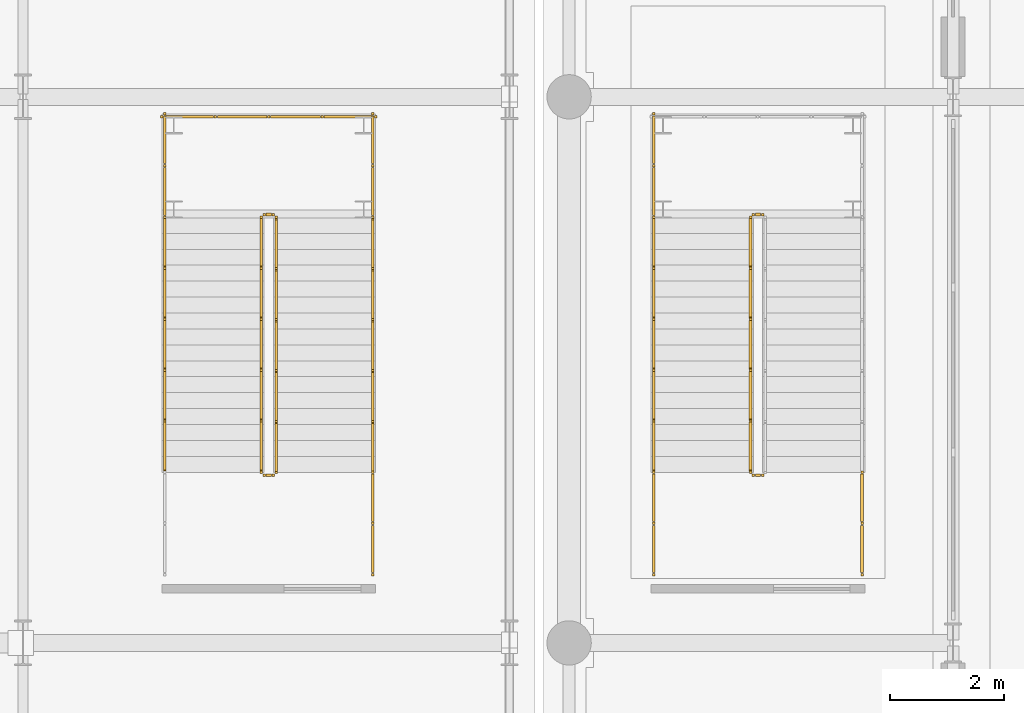
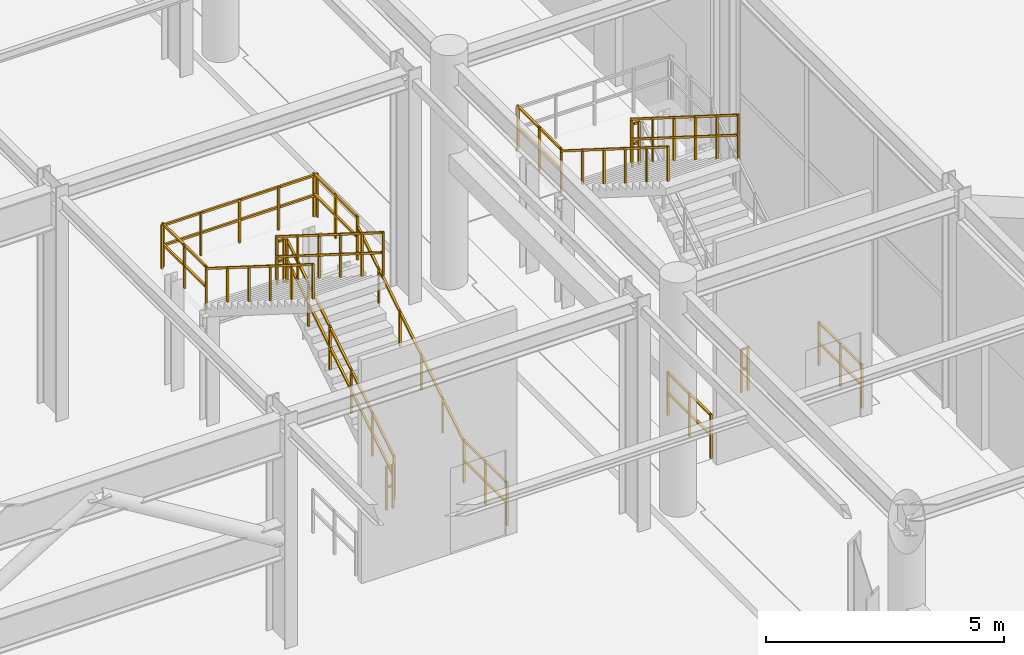
# One storey, part 91 of 113: 17 railings.
"""IFC4 building model written with IfcOpenShell, lengths in metres."""

import ifcopenshell
import ifcopenshell.guid

model = None  # the IFC model being written
_history = None  # IfcOwnerHistory: only IFC2X3 demands one
_inside = {}  # id of a spatial element -> (the spatial element, [elements in it])
_under = {}  # id of a project, library or spatial element -> (it, [spatial elements below it])
_declared = {}  # id of a project -> (the project, [libraries it declares])
_typed = {}  # id of a type object -> (the type object, [elements of that type])
_made_of = {}  # id of a material, layer set ... -> (it, [elements and type objects made of it])


def new_model(schema):
    """Start an empty IFC model of exactly this schema.

    Asked for "IFC4X3", IfcOpenShell would pick the latest addendum, in which some entities
    have other attributes; the version numbers below select the first issue.
    IFC2X3 requires an IfcOwnerHistory on every rooted entity: one is made here for all.
    """
    global model, _history
    if schema == "IFC4X3":
        model = ifcopenshell.file(schema_version=(4, 3, 0, 0))
    else:
        model = ifcopenshell.file(schema=schema)
    _inside.clear()
    _under.clear()
    _declared.clear()
    _typed.clear()
    _made_of.clear()
    _history = None
    if model.schema == "IFC2X3":
        org = make("IfcOrganization", Name="unknown")
        user = make(
            "IfcPersonAndOrganization",
            ThePerson=make("IfcPerson", FamilyName="unknown"),
            TheOrganization=org,
        )
        app = make(
            "IfcApplication",
            ApplicationDeveloper=org,
            Version="unknown",
            ApplicationFullName="unknown",
            ApplicationIdentifier="unknown",
        )
        _history = make(
            "IfcOwnerHistory",
            OwningUser=user,
            OwningApplication=app,
            ChangeAction="ADDED",
            CreationDate=0,
        )
    return model


def make(cls, **values):
    """One entity of the class cls with the attributes given. An attribute that is None is left unset."""
    return model.create_entity(
        cls, **{name: value for name, value in values.items() if value is not None}
    )


def rooted(cls, **values):
    """An entity with a GlobalId (a new one), such as an element, a storey or a relation."""
    return make(cls, GlobalId=ifcopenshell.guid.new(), OwnerHistory=_history, **values)


def si_unit(unit_type, name, prefix=None):
    """IfcSIUnit, for example si_unit("LENGTHUNIT", "METRE", prefix="MILLI")."""
    return make("IfcSIUnit", UnitType=unit_type, Prefix=prefix, Name=name)


def assignment(units):
    """IfcUnitAssignment: the units of a project."""
    return None if units is None else make("IfcUnitAssignment", Units=units)


def point(xyz):
    """IfcCartesianPoint."""
    return None if xyz is None else make("IfcCartesianPoint", Coordinates=xyz)


def direction(xyz):
    """IfcDirection."""
    return None if xyz is None else make("IfcDirection", DirectionRatios=xyz)


def frame(location, z_axis=None, x_axis=None):
    """IfcAxis2Placement3D, a coordinate frame: its origin and axes. An axis left out is left unset."""
    return make(
        "IfcAxis2Placement3D",
        Location=point(location),
        Axis=direction(z_axis),
        RefDirection=direction(x_axis),
    )


def frame_2d(location, x_axis=None):
    """IfcAxis2Placement2D, a coordinate frame in the plane: its origin and x axis."""
    return make(
        "IfcAxis2Placement2D", Location=point(location), RefDirection=direction(x_axis)
    )


def origin():
    """The frame at (0, 0, 0) with its axes left unset."""
    return frame((0.0, 0.0, 0.0))


def origin_2d():
    """The frame at (0, 0) in the plane with its x axis left unset."""
    return frame_2d((0.0, 0.0))


def place(relative_to, where):
    """IfcLocalPlacement: puts the frame where relative to a parent placement (None: the world)."""
    return make(
        "IfcLocalPlacement", PlacementRelTo=relative_to, RelativePlacement=where
    )


def context(
    kind, dimensions, precision=None, world=None, true_north=None, identifier=None
):
    """IfcGeometricRepresentationContext, for example the 3D "Model" context."""
    return make(
        "IfcGeometricRepresentationContext",
        ContextIdentifier=identifier,
        ContextType=kind,
        CoordinateSpaceDimension=dimensions,
        Precision=precision,
        WorldCoordinateSystem=world,
        TrueNorth=true_north,
    )


def subcontext(parent, identifier, kind, view, scale=None):
    """IfcGeometricRepresentationSubContext, for example "Body" below "Model"."""
    return make(
        "IfcGeometricRepresentationSubContext",
        ContextIdentifier=identifier,
        ContextType=kind,
        ParentContext=parent,
        TargetScale=scale,
        TargetView=view,
    )


def project(units=None, contexts=None):
    """IfcProject with its units and contexts."""
    return rooted(
        "IfcProject",
        Name="project",
        RepresentationContexts=contexts,
        UnitsInContext=assignment(units),
    )


def spatial(cls, under=None, at=None, **own):
    """A site, building, storey or space (cls), placed at a placement, below another one or the project."""
    s = rooted(cls, ObjectPlacement=at, **own)
    if under is not None:
        _under.setdefault(under.id(), (under, []))[1].append(s)
    return s


def profile(cls, at=None, kind="AREA", **sizes):
    """A parametric profile (cls). Its sizes go by their IFC names, for example OverallWidth=200.0."""
    return make(cls, ProfileType=kind, Position=at, **sizes)


def rectangle(**sizes):
    """IfcRectangleProfileDef."""
    return profile("IfcRectangleProfileDef", **sizes)


def extrude(swept, where, along, depth):
    """IfcExtrudedAreaSolid: the profile swept, set in the frame where, extruded along a direction by depth."""
    return make(
        "IfcExtrudedAreaSolid",
        SweptArea=swept,
        Position=where,
        ExtrudedDirection=direction(along),
        Depth=depth,
    )


def shape(context_of_items, identifier, shape_type, items):
    """IfcShapeRepresentation: the items that make up one representation, for example the "Body"."""
    return make(
        "IfcShapeRepresentation",
        ContextOfItems=context_of_items,
        RepresentationIdentifier=identifier,
        RepresentationType=shape_type,
        Items=items,
    )


def material(Name=None, Category=None):
    """IfcMaterial."""
    return make("IfcMaterial", Name=Name, Category=Category)


def made_of(thing, what):
    """Note that an element or type object is made of a material, layer set ...; save() writes the relation."""
    if what is not None:
        _made_of.setdefault(what.id(), (what, []))[1].append(thing)
    return thing


def type_object(cls, material=None, **own):
    """A type object (cls), such as IfcWallType, which elements share."""
    return made_of(rooted(cls, **own), material)


def element(
    cls,
    number,
    at=None,
    inside=None,
    cuts=None,
    type_object=None,
    material=None,
    context=None,
    identifier="Body",
    shape_type=None,
    held_by="IfcProductDefinitionShape",
    body=None,
    shapes=None,
    **own,
):
    """One element of the class cls, such as IfcWall. Its Tag is "e" and its number.

    at: its placement. inside: the storey or other place that contains it. cuts: it is an
    opening in that element (IfcRelVoidsElement). A single representation is given by context,
    identifier, shape_type and body (its items); several are given by shapes. held_by: the class
    of the entity that holds the representations. save() writes the other relations.
    """
    e = rooted(cls, Tag="e%d" % number, ObjectPlacement=at, **own)
    if body is not None:
        shapes = [shape(context, identifier, shape_type, body)]
    if shapes is not None:
        e.Representation = make(held_by, Representations=shapes)
    if inside is not None:
        _inside.setdefault(inside.id(), (inside, []))[1].append(e)
    if cuts is not None:
        rooted(
            "IfcRelVoidsElement", RelatingBuildingElement=cuts, RelatedOpeningElement=e
        )
    if type_object is not None:
        _typed.setdefault(type_object.id(), (type_object, []))[1].append(e)
    return made_of(e, material)


def aggregate(whole, parts):
    """IfcRelAggregates: a whole, such as a stair, and the parts it consists of."""
    return rooted("IfcRelAggregates", RelatingObject=whole, RelatedObjects=parts)


def save(model, path):
    """Write the relations noted so far, then the file.

    IfcRelAggregates (storeys below a building ...), IfcRelContainedInSpatialStructure (elements
    in a storey), IfcRelDefinesByType, IfcRelAssociatesMaterial and IfcRelDeclares: one each for
    every whole, place, type object, material and project.
    """
    for whole, parts in _under.values():
        aggregate(whole, parts)
    for where, things in _inside.values():
        rooted(
            "IfcRelContainedInSpatialStructure",
            RelatedElements=things,
            RelatingStructure=where,
        )
    for kind, things in _typed.values():
        rooted("IfcRelDefinesByType", RelatedObjects=things, RelatingType=kind)
    for what, things in _made_of.values():
        rooted("IfcRelAssociatesMaterial", RelatedObjects=things, RelatingMaterial=what)
    for by, libraries in _declared.values():
        rooted("IfcRelDeclares", RelatingContext=by, RelatedDefinitions=libraries)
    model.write(path)


model = new_model("IFC4")

# Units and contexts
model_context = context("Model", 3, precision=1e-05, world=origin(), true_north=direction((0.0, 1.0)))
body_context = subcontext(model_context, "Body", "Model", "MODEL_VIEW")
ifc_project = project(units=[si_unit("LENGTHUNIT", "METRE"), si_unit("AREAUNIT", "SQUARE_METRE"), si_unit("VOLUMEUNIT", "CUBIC_METRE"), si_unit("PLANEANGLEUNIT", "RADIAN"), si_unit("MASSUNIT", "GRAM", prefix="KILO")], contexts=[model_context])

# Site, building, storey
site_placement = place(None, origin())
site = spatial("IfcSite", under=ifc_project, at=site_placement, CompositionType="ELEMENT")
building_placement = place(site_placement, origin())
building = spatial("IfcBuilding", under=site, at=building_placement, Name="Myrtia Square Station", CompositionType="ELEMENT")
storey_placement = place(building_placement, origin())
storey = spatial("IfcBuildingStorey", under=building, at=storey_placement, Name="L00", CompositionType="ELEMENT", Elevation=0.0)

# Railings
ifc_material_1 = material(Name="Dark bronze anodised aluminium", Category="aluminium")
railing_type_1 = type_object("IfcRailingType", Name="RL-HANDRAIL-900", PredefinedType="HANDRAIL", material=ifc_material_1)
railing_1_placement = place(storey_placement, frame((69.14990234375, 70.199951171875, 0.176513671875)))
element("IfcRailing", 1, at=railing_1_placement, inside=storey, type_object=railing_type_1, Name="L00 ST68 stair handrail 1", PredefinedType="HANDRAIL", context=body_context, shape_type="SweptSolid", body=[
    extrude(rectangle(XDim=0.048095703125, YDim=0.048095703125, at=origin_2d()), frame((0.0, 0.029296875, 0.894287109375), z_axis=(0.0, 0.845997938375, 0.533186166611), x_axis=(-1.0, 0.0, 0.0)), (0.0, 0.0, 1.0), 0.98974609375),
    extrude(rectangle(XDim=0.048095703125, YDim=0.048095703125, at=origin_2d()), frame((0.0, 0.92529296875, 1.458984375), z_axis=(0.0, 0.845997938375, 0.533186166611), x_axis=(-1.0, 0.0, 0.0)), (0.0, 0.0, 1.0), 0.98974609375),
    extrude(rectangle(XDim=0.048095703125, YDim=0.048095703125, at=origin_2d()), frame((0.0, 1.8212890625, 2.023681640625), z_axis=(0.0, 0.845997938375, 0.533186166611), x_axis=(-1.0, 0.0, 0.0)), (0.0, 0.0, 1.0), 0.98974609375),
    extrude(rectangle(XDim=0.048095703125, YDim=0.048095703125, at=origin_2d()), frame((0.0, 2.71728515625, 2.58837890625), z_axis=(0.0, 0.845997938375, 0.533186166611), x_axis=(-1.0, 0.0, 0.0)), (0.0, 0.0, 1.0), 0.98974609375),
    extrude(rectangle(XDim=0.048095703125, YDim=0.048095703125, at=origin_2d()), frame((0.0, 3.61328125, 3.153076171875), z_axis=(0.0, 0.845997938375, 0.533186166611), x_axis=(-1.0, 0.0, 0.0)), (0.0, 0.0, 1.0), 0.98974609375),
    extrude(rectangle(XDim=0.0439453125, YDim=0.0439453125, at=origin_2d()), origin(), (0.0, 0.0, 1.0), 0.89990234375),
    extrude(rectangle(XDim=0.0439453125, YDim=0.0439453125, at=origin_2d()), frame((0.0, 0.89599609375, 0.564697265625)), (0.0, 0.0, 1.0), 0.89990234375),
    extrude(rectangle(XDim=0.0439453125, YDim=0.0439453125, at=origin_2d()), frame((0.0, 1.7919921875, 1.12939453125)), (0.0, 0.0, 1.0), 0.89990234375),
    extrude(rectangle(XDim=0.0439453125, YDim=0.0439453125, at=origin_2d()), frame((0.0, 2.68798828125, 1.694091796875)), (0.0, 0.0, 1.0), 0.89990234375),
    extrude(rectangle(XDim=0.0439453125, YDim=0.0439453125, at=origin_2d()), frame((0.0, 3.583984375, 2.2587890625)), (0.0, 0.0, 1.0), 0.89990234375),
    extrude(rectangle(XDim=0.0439453125, YDim=0.0439453125, at=origin_2d()), frame((0.0, 4.47998046875, 2.823486328125)), (0.0, 0.0, 1.0), 0.89990234375),
])
railing_2_placement = place(storey_placement, frame((65.489990234375, 74.679931640625, 3.176513671875)))
element("IfcRailing", 2, at=railing_2_placement, inside=storey, type_object=railing_type_1, Name="L00 ST68 stair handrail 2", PredefinedType="HANDRAIL", context=body_context, shape_type="SweptSolid", body=[
    extrude(rectangle(XDim=0.048095703125, YDim=0.048095703125, at=origin_2d()), frame((0.0, -0.029296875, 0.894287109375), z_axis=(0.0, -0.845997938375, 0.533186166611), x_axis=(1.0, 0.0, 0.0)), (0.0, 0.0, 1.0), 0.98974609375),
    extrude(rectangle(XDim=0.048095703125, YDim=0.048095703125, at=origin_2d()), frame((0.0, -0.92529296875, 1.458984375), z_axis=(0.0, -0.845997938375, 0.533186166611), x_axis=(1.0, 0.0, 0.0)), (0.0, 0.0, 1.0), 0.98974609375),
    extrude(rectangle(XDim=0.048095703125, YDim=0.048095703125, at=origin_2d()), frame((0.0, -1.8212890625, 2.023681640625), z_axis=(0.0, -0.845997938375, 0.533186166611), x_axis=(1.0, 0.0, 0.0)), (0.0, 0.0, 1.0), 0.98974609375),
    extrude(rectangle(XDim=0.048095703125, YDim=0.048095703125, at=origin_2d()), frame((0.0, -2.71728515625, 2.58837890625), z_axis=(0.0, -0.845997938375, 0.533186166611), x_axis=(1.0, 0.0, 0.0)), (0.0, 0.0, 1.0), 0.98974609375),
    extrude(rectangle(XDim=0.048095703125, YDim=0.048095703125, at=origin_2d()), frame((0.0, -3.61328125, 3.153076171875), z_axis=(0.0, -0.845997938375, 0.533186166611), x_axis=(1.0, 0.0, 0.0)), (0.0, 0.0, 1.0), 0.98974609375),
    extrude(rectangle(XDim=0.0439453125, YDim=0.0439453125, at=origin_2d()), origin(), (0.0, 0.0, 1.0), 0.89990234375),
    extrude(rectangle(XDim=0.0439453125, YDim=0.0439453125, at=origin_2d()), frame((0.0, -0.89599609375, 0.564697265625)), (0.0, 0.0, 1.0), 0.89990234375),
    extrude(rectangle(XDim=0.0439453125, YDim=0.0439453125, at=origin_2d()), frame((0.0, -1.7919921875, 1.12939453125)), (0.0, 0.0, 1.0), 0.89990234375),
    extrude(rectangle(XDim=0.0439453125, YDim=0.0439453125, at=origin_2d()), frame((0.0, -2.68798828125, 1.694091796875)), (0.0, 0.0, 1.0), 0.89990234375),
    extrude(rectangle(XDim=0.0439453125, YDim=0.0439453125, at=origin_2d()), frame((0.0, -3.583984375, 2.2587890625)), (0.0, 0.0, 1.0), 0.89990234375),
    extrude(rectangle(XDim=0.0439453125, YDim=0.0439453125, at=origin_2d()), frame((0.0, -4.47998046875, 2.823486328125)), (0.0, 0.0, 1.0), 0.89990234375),
])
railing_3_placement = place(storey_placement, frame((74.090087890625, 74.679931640625, 3.176513671875)))
element("IfcRailing", 3, at=railing_3_placement, inside=storey, type_object=railing_type_1, Name="L00 ST69 stair handrail 2", PredefinedType="HANDRAIL", context=body_context, shape_type="SweptSolid", body=[
    extrude(rectangle(XDim=0.048095703125, YDim=0.048095703125, at=origin_2d()), frame((0.0, -0.029296875, 0.894287109375), z_axis=(0.0, -0.845997938375, 0.533186166611), x_axis=(1.0, 0.0, 0.0)), (0.0, 0.0, 1.0), 0.98974609375),
    extrude(rectangle(XDim=0.048095703125, YDim=0.048095703125, at=origin_2d()), frame((0.0, -0.92529296875, 1.458984375), z_axis=(0.0, -0.845997938375, 0.533186166611), x_axis=(1.0, 0.0, 0.0)), (0.0, 0.0, 1.0), 0.98974609375),
    extrude(rectangle(XDim=0.048095703125, YDim=0.048095703125, at=origin_2d()), frame((0.0, -1.8212890625, 2.023681640625), z_axis=(0.0, -0.845997938375, 0.533186166611), x_axis=(1.0, 0.0, 0.0)), (0.0, 0.0, 1.0), 0.98974609375),
    extrude(rectangle(XDim=0.048095703125, YDim=0.048095703125, at=origin_2d()), frame((0.0, -2.71728515625, 2.58837890625), z_axis=(0.0, -0.845997938375, 0.533186166611), x_axis=(1.0, 0.0, 0.0)), (0.0, 0.0, 1.0), 0.98974609375),
    extrude(rectangle(XDim=0.048095703125, YDim=0.048095703125, at=origin_2d()), frame((0.0, -3.61328125, 3.153076171875), z_axis=(0.0, -0.845997938375, 0.533186166611), x_axis=(1.0, 0.0, 0.0)), (0.0, 0.0, 1.0), 0.98974609375),
    extrude(rectangle(XDim=0.0439453125, YDim=0.0439453125, at=origin_2d()), origin(), (0.0, 0.0, 1.0), 0.89990234375),
    extrude(rectangle(XDim=0.0439453125, YDim=0.0439453125, at=origin_2d()), frame((0.0, -0.89599609375, 0.564697265625)), (0.0, 0.0, 1.0), 0.89990234375),
    extrude(rectangle(XDim=0.0439453125, YDim=0.0439453125, at=origin_2d()), frame((0.0, -1.7919921875, 1.12939453125)), (0.0, 0.0, 1.0), 0.89990234375),
    extrude(rectangle(XDim=0.0439453125, YDim=0.0439453125, at=origin_2d()), frame((0.0, -2.68798828125, 1.694091796875)), (0.0, 0.0, 1.0), 0.89990234375),
    extrude(rectangle(XDim=0.0439453125, YDim=0.0439453125, at=origin_2d()), frame((0.0, -3.583984375, 2.2587890625)), (0.0, 0.0, 1.0), 0.89990234375),
    extrude(rectangle(XDim=0.0439453125, YDim=0.0439453125, at=origin_2d()), frame((0.0, -4.47998046875, 2.823486328125)), (0.0, 0.0, 1.0), 0.89990234375),
])
ifc_material_2 = material(Name="Wrought iron", Category="steel")
railing_type_2 = type_object("IfcRailingType", Name="RL-INT-GUARD-1100", PredefinedType="BALUSTRADE", material=ifc_material_2)
railing_4_placement = place(storey_placement, frame((67.449951171875, 70.199951171875, 0.176513671875)))
element("IfcRailing", 4, at=railing_4_placement, inside=storey, type_object=railing_type_2, Name="L00 ST68 stair guard 1", PredefinedType="BALUSTRADE", context=body_context, shape_type="SweptSolid", body=[
    extrude(rectangle(XDim=0.048095703125, YDim=0.048095703125, at=origin_2d()), frame((0.0, 0.029296875, 1.114501953125), z_axis=(0.0, 0.845997938375, 0.533186166611), x_axis=(-1.0, 0.0, 0.0)), (0.0, 0.0, 1.0), 0.98974609375),
    extrude(rectangle(XDim=0.048095703125, YDim=0.048095703125, at=origin_2d()), frame((0.0, 0.029296875, 0.600830078125), z_axis=(0.0, 0.845997938375, 0.533186166611), x_axis=(-1.0, 0.0, 0.0)), (0.0, 0.0, 1.0), 0.98974609375),
    extrude(rectangle(XDim=0.048095703125, YDim=0.048095703125, at=origin_2d()), frame((0.0, 0.92529296875, 1.67919921875), z_axis=(0.0, 0.845997938375, 0.533186166611), x_axis=(-1.0, 0.0, 0.0)), (0.0, 0.0, 1.0), 0.98974609375),
    extrude(rectangle(XDim=0.048095703125, YDim=0.048095703125, at=origin_2d()), frame((0.0, 0.92529296875, 1.16552734375), z_axis=(0.0, 0.845997938375, 0.533186166611), x_axis=(-1.0, 0.0, 0.0)), (0.0, 0.0, 1.0), 0.98974609375),
    extrude(rectangle(XDim=0.048095703125, YDim=0.048095703125, at=origin_2d()), frame((0.0, 1.8212890625, 2.243896484375), z_axis=(0.0, 0.845997938375, 0.533186166611), x_axis=(-1.0, 0.0, 0.0)), (0.0, 0.0, 1.0), 0.98974609375),
    extrude(rectangle(XDim=0.048095703125, YDim=0.048095703125, at=origin_2d()), frame((0.0, 1.8212890625, 1.730224609375), z_axis=(0.0, 0.845997938375, 0.533186166611), x_axis=(-1.0, 0.0, 0.0)), (0.0, 0.0, 1.0), 0.98974609375),
    extrude(rectangle(XDim=0.048095703125, YDim=0.048095703125, at=origin_2d()), frame((0.0, 2.71728515625, 2.80859375), z_axis=(0.0, 0.845997938375, 0.533186166611), x_axis=(-1.0, 0.0, 0.0)), (0.0, 0.0, 1.0), 0.98974609375),
    extrude(rectangle(XDim=0.048095703125, YDim=0.048095703125, at=origin_2d()), frame((0.0, 2.71728515625, 2.294921875), z_axis=(0.0, 0.845997938375, 0.533186166611), x_axis=(-1.0, 0.0, 0.0)), (0.0, 0.0, 1.0), 0.98974609375),
    extrude(rectangle(XDim=0.048095703125, YDim=0.048095703125, at=origin_2d()), frame((0.0, 3.61328125, 3.373291015625), z_axis=(0.0, 0.845997938375, 0.533186166611), x_axis=(-1.0, 0.0, 0.0)), (0.0, 0.0, 1.0), 0.98974609375),
    extrude(rectangle(XDim=0.048095703125, YDim=0.048095703125, at=origin_2d()), frame((0.0, 3.61328125, 2.859619140625), z_axis=(0.0, 0.845997938375, 0.533186166611), x_axis=(-1.0, 0.0, 0.0)), (0.0, 0.0, 1.0), 0.98974609375),
    extrude(rectangle(XDim=0.0439453125, YDim=0.0439453125, at=origin_2d()), origin(), (0.0, 0.0, 1.0), 1.1201171875),
    extrude(rectangle(XDim=0.0439453125, YDim=0.0439453125, at=origin_2d()), frame((0.0, 0.89599609375, 0.564697265625)), (0.0, 0.0, 1.0), 1.1201171875),
    extrude(rectangle(XDim=0.0439453125, YDim=0.0439453125, at=origin_2d()), frame((0.0, 1.7919921875, 1.12939453125)), (0.0, 0.0, 1.0), 1.1201171875),
    extrude(rectangle(XDim=0.0439453125, YDim=0.0439453125, at=origin_2d()), frame((0.0, 2.68798828125, 1.694091796875)), (0.0, 0.0, 1.0), 1.1201171875),
    extrude(rectangle(XDim=0.0439453125, YDim=0.0439453125, at=origin_2d()), frame((0.0, 3.583984375, 2.2587890625)), (0.0, 0.0, 1.0), 1.1201171875),
    extrude(rectangle(XDim=0.0439453125, YDim=0.0439453125, at=origin_2d()), frame((0.0, 4.47998046875, 2.823486328125)), (0.0, 0.0, 1.0), 1.1201171875),
])
railing_5_placement = place(storey_placement, frame((67.39990234375, 74.72998046875, 3.0)))
element("IfcRailing", 5, at=railing_5_placement, inside=storey, type_object=railing_type_2, Name="L00 ST68 stair guard 2", PredefinedType="BALUSTRADE", context=body_context, shape_type="SweptSolid", body=[
    extrude(rectangle(XDim=0.048095703125, YDim=0.048095703125, at=origin_2d()), frame((-0.03466796875, 0.0, 1.09619140625), z_axis=(-1.0, 0.0, 0.0), x_axis=(0.0, -1.0, 0.0)), (0.0, 0.0, 1.0), 0.090576171875),
    extrude(rectangle(XDim=0.048095703125, YDim=0.048095703125, at=origin_2d()), frame((-0.03466796875, 0.0, 0.58251953125), z_axis=(-1.0, 0.0, 0.0), x_axis=(0.0, -1.0, 0.0)), (0.0, 0.0, 1.0), 0.090576171875),
    extrude(rectangle(XDim=0.0439453125, YDim=0.0439453125, at=origin_2d()), origin(), (0.0, 0.0, 1.0), 1.1201171875),
    extrude(rectangle(XDim=0.0439453125, YDim=0.0439453125, at=origin_2d()), frame((-0.159912109375, 0.0, 0.0)), (0.0, 0.0, 1.0), 1.1201171875),
])
for number, where, name in (
    (6, (69.14990234375, 74.679931640625, 3.0), "L00 ST68 stair guard 3"),
    (7, (65.489990234375, 74.679931640625, 3.0), "L00 ST68 stair guard 4"),
):
    element("IfcRailing", number, at=place(storey_placement, frame(where)), inside=storey, type_object=railing_type_2, Name=name, PredefinedType="BALUSTRADE", context=body_context, shape_type="SweptSolid", body=[
        extrude(rectangle(XDim=0.048095703125, YDim=0.048095703125, at=origin_2d()), frame((0.0, 0.03466796875, 1.09619140625), z_axis=(0.0, 1.0, 0.0), x_axis=(-1.0, 0.0, 0.0)), (0.0, 0.0, 1.0), 0.8408203125),
        extrude(rectangle(XDim=0.048095703125, YDim=0.048095703125, at=origin_2d()), frame((0.0, 0.03466796875, 0.58251953125), z_axis=(0.0, 1.0, 0.0), x_axis=(-1.0, 0.0, 0.0)), (0.0, 0.0, 1.0), 0.8408203125),
        extrude(rectangle(XDim=0.048095703125, YDim=0.048095703125, at=origin_2d()), frame((0.0, 0.944580078125, 1.09619140625), z_axis=(0.0, 1.0, 0.0), x_axis=(-1.0, 0.0, 0.0)), (0.0, 0.0, 1.0), 0.8408203125),
        extrude(rectangle(XDim=0.048095703125, YDim=0.048095703125, at=origin_2d()), frame((0.0, 0.944580078125, 0.58251953125), z_axis=(0.0, 1.0, 0.0), x_axis=(-1.0, 0.0, 0.0)), (0.0, 0.0, 1.0), 0.8408203125),
        extrude(rectangle(XDim=0.0439453125, YDim=0.0439453125, at=origin_2d()), origin(), (0.0, 0.0, 1.0), 1.1201171875),
        extrude(rectangle(XDim=0.0439453125, YDim=0.0439453125, at=origin_2d()), frame((0.0, 0.91015625, 0.0)), (0.0, 0.0, 1.0), 1.1201171875),
        extrude(rectangle(XDim=0.0439453125, YDim=0.0439453125, at=origin_2d()), frame((0.0, 1.820068359375, 0.0)), (0.0, 0.0, 1.0), 1.1201171875),
    ])
railing_6_placement = place(storey_placement, frame((69.199951171875, 76.449951171875, 3.0)))
element("IfcRailing", 8, at=railing_6_placement, inside=storey, type_object=railing_type_2, Name="L00 ST68 stair guard 5", PredefinedType="BALUSTRADE", context=body_context, shape_type="SweptSolid", body=[
    extrude(rectangle(XDim=0.048095703125, YDim=0.048095703125, at=origin_2d()), frame((-0.03466796875, 0.0, 1.09619140625), z_axis=(-1.0, 0.0, 0.0), x_axis=(0.0, -1.0, 0.0)), (0.0, 0.0, 1.0), 0.87060546875),
    extrude(rectangle(XDim=0.048095703125, YDim=0.048095703125, at=origin_2d()), frame((-0.03466796875, 0.0, 0.58251953125), z_axis=(-1.0, 0.0, 0.0), x_axis=(0.0, -1.0, 0.0)), (0.0, 0.0, 1.0), 0.87060546875),
    extrude(rectangle(XDim=0.048095703125, YDim=0.048095703125, at=origin_2d()), frame((-0.974609375, 0.0, 1.09619140625), z_axis=(-1.0, 0.0, 0.0), x_axis=(0.0, -1.0, 0.0)), (0.0, 0.0, 1.0), 0.87060546875),
    extrude(rectangle(XDim=0.048095703125, YDim=0.048095703125, at=origin_2d()), frame((-0.974609375, 0.0, 0.58251953125), z_axis=(-1.0, 0.0, 0.0), x_axis=(0.0, -1.0, 0.0)), (0.0, 0.0, 1.0), 0.87060546875),
    extrude(rectangle(XDim=0.048095703125, YDim=0.048095703125, at=origin_2d()), frame((-1.91455078125, 0.0, 1.09619140625), z_axis=(-1.0, 0.0, 0.0), x_axis=(0.0, -1.0, 0.0)), (0.0, 0.0, 1.0), 0.87060546875),
    extrude(rectangle(XDim=0.048095703125, YDim=0.048095703125, at=origin_2d()), frame((-1.91455078125, 0.0, 0.58251953125), z_axis=(-1.0, 0.0, 0.0), x_axis=(0.0, -1.0, 0.0)), (0.0, 0.0, 1.0), 0.87060546875),
    extrude(rectangle(XDim=0.048095703125, YDim=0.048095703125, at=origin_2d()), frame((-2.854736328125, 0.0, 1.09619140625), z_axis=(-1.0, 0.0, 0.0), x_axis=(0.0, -1.0, 0.0)), (0.0, 0.0, 1.0), 0.87060546875),
    extrude(rectangle(XDim=0.048095703125, YDim=0.048095703125, at=origin_2d()), frame((-2.854736328125, 0.0, 0.58251953125), z_axis=(-1.0, 0.0, 0.0), x_axis=(0.0, -1.0, 0.0)), (0.0, 0.0, 1.0), 0.87060546875),
    extrude(rectangle(XDim=0.0439453125, YDim=0.0439453125, at=origin_2d()), origin(), (0.0, 0.0, 1.0), 1.1201171875),
    extrude(rectangle(XDim=0.0439453125, YDim=0.0439453125, at=origin_2d()), frame((-0.93994140625, 0.0, 0.0)), (0.0, 0.0, 1.0), 1.1201171875),
    extrude(rectangle(XDim=0.0439453125, YDim=0.0439453125, at=origin_2d()), frame((-1.8798828125, 0.0, 0.0)), (0.0, 0.0, 1.0), 1.1201171875),
    extrude(rectangle(XDim=0.0439453125, YDim=0.0439453125, at=origin_2d()), frame((-2.820068359375, 0.0, 0.0)), (0.0, 0.0, 1.0), 1.1201171875),
    extrude(rectangle(XDim=0.0439453125, YDim=0.0439453125, at=origin_2d()), frame((-3.760009765625, 0.0, 0.0)), (0.0, 0.0, 1.0), 1.1201171875),
])
railing_7_placement = place(storey_placement, frame((67.18994140625, 74.679931640625, 3.176513671875)))
element("IfcRailing", 9, at=railing_7_placement, inside=storey, type_object=railing_type_2, Name="L00 ST68 stair guard 6", PredefinedType="BALUSTRADE", context=body_context, shape_type="SweptSolid", body=[
    extrude(rectangle(XDim=0.048095703125, YDim=0.048095703125, at=origin_2d()), frame((0.0, -0.029296875, 1.114501953125), z_axis=(0.0, -0.845997938375, 0.533186166611), x_axis=(1.0, 0.0, 0.0)), (0.0, 0.0, 1.0), 0.98974609375),
    extrude(rectangle(XDim=0.048095703125, YDim=0.048095703125, at=origin_2d()), frame((0.0, -0.029296875, 0.600830078125), z_axis=(0.0, -0.845997938375, 0.533186166611), x_axis=(1.0, 0.0, 0.0)), (0.0, 0.0, 1.0), 0.98974609375),
    extrude(rectangle(XDim=0.048095703125, YDim=0.048095703125, at=origin_2d()), frame((0.0, -0.92529296875, 1.67919921875), z_axis=(0.0, -0.845997938375, 0.533186166611), x_axis=(1.0, 0.0, 0.0)), (0.0, 0.0, 1.0), 0.98974609375),
    extrude(rectangle(XDim=0.048095703125, YDim=0.048095703125, at=origin_2d()), frame((0.0, -0.92529296875, 1.16552734375), z_axis=(0.0, -0.845997938375, 0.533186166611), x_axis=(1.0, 0.0, 0.0)), (0.0, 0.0, 1.0), 0.98974609375),
    extrude(rectangle(XDim=0.048095703125, YDim=0.048095703125, at=origin_2d()), frame((0.0, -1.8212890625, 2.243896484375), z_axis=(0.0, -0.845997938375, 0.533186166611), x_axis=(1.0, 0.0, 0.0)), (0.0, 0.0, 1.0), 0.98974609375),
    extrude(rectangle(XDim=0.048095703125, YDim=0.048095703125, at=origin_2d()), frame((0.0, -1.8212890625, 1.730224609375), z_axis=(0.0, -0.845997938375, 0.533186166611), x_axis=(1.0, 0.0, 0.0)), (0.0, 0.0, 1.0), 0.98974609375),
    extrude(rectangle(XDim=0.048095703125, YDim=0.048095703125, at=origin_2d()), frame((0.0, -2.71728515625, 2.80859375), z_axis=(0.0, -0.845997938375, 0.533186166611), x_axis=(1.0, 0.0, 0.0)), (0.0, 0.0, 1.0), 0.98974609375),
    extrude(rectangle(XDim=0.048095703125, YDim=0.048095703125, at=origin_2d()), frame((0.0, -2.71728515625, 2.294921875), z_axis=(0.0, -0.845997938375, 0.533186166611), x_axis=(1.0, 0.0, 0.0)), (0.0, 0.0, 1.0), 0.98974609375),
    extrude(rectangle(XDim=0.048095703125, YDim=0.048095703125, at=origin_2d()), frame((0.0, -3.61328125, 3.373291015625), z_axis=(0.0, -0.845997938375, 0.533186166611), x_axis=(1.0, 0.0, 0.0)), (0.0, 0.0, 1.0), 0.98974609375),
    extrude(rectangle(XDim=0.048095703125, YDim=0.048095703125, at=origin_2d()), frame((0.0, -3.61328125, 2.859619140625), z_axis=(0.0, -0.845997938375, 0.533186166611), x_axis=(1.0, 0.0, 0.0)), (0.0, 0.0, 1.0), 0.98974609375),
    extrude(rectangle(XDim=0.0439453125, YDim=0.0439453125, at=origin_2d()), origin(), (0.0, 0.0, 1.0), 1.1201171875),
    extrude(rectangle(XDim=0.0439453125, YDim=0.0439453125, at=origin_2d()), frame((0.0, -0.89599609375, 0.564697265625)), (0.0, 0.0, 1.0), 1.1201171875),
    extrude(rectangle(XDim=0.0439453125, YDim=0.0439453125, at=origin_2d()), frame((0.0, -1.7919921875, 1.12939453125)), (0.0, 0.0, 1.0), 1.1201171875),
    extrude(rectangle(XDim=0.0439453125, YDim=0.0439453125, at=origin_2d()), frame((0.0, -2.68798828125, 1.694091796875)), (0.0, 0.0, 1.0), 1.1201171875),
    extrude(rectangle(XDim=0.0439453125, YDim=0.0439453125, at=origin_2d()), frame((0.0, -3.583984375, 2.2587890625)), (0.0, 0.0, 1.0), 1.1201171875),
    extrude(rectangle(XDim=0.0439453125, YDim=0.0439453125, at=origin_2d()), frame((0.0, -4.47998046875, 2.823486328125)), (0.0, 0.0, 1.0), 1.1201171875),
])
railing_8_placement = place(storey_placement, frame((67.39990234375, 70.14990234375, 0.0)))
element("IfcRailing", 10, at=railing_8_placement, inside=storey, type_object=railing_type_2, Name="L00 ST68 stair guard 7", PredefinedType="BALUSTRADE", context=body_context, shape_type="SweptSolid", body=[
    extrude(rectangle(XDim=0.048095703125, YDim=0.048095703125, at=origin_2d()), frame((-0.03466796875, 0.0, 1.09619140625), z_axis=(-1.0, 0.0, 0.0), x_axis=(0.0, -1.0, 0.0)), (0.0, 0.0, 1.0), 0.090576171875),
    extrude(rectangle(XDim=0.048095703125, YDim=0.048095703125, at=origin_2d()), frame((-0.03466796875, 0.0, 0.58251953125), z_axis=(-1.0, 0.0, 0.0), x_axis=(0.0, -1.0, 0.0)), (0.0, 0.0, 1.0), 0.090576171875),
    extrude(rectangle(XDim=0.0439453125, YDim=0.0439453125, at=origin_2d()), origin(), (0.0, 0.0, 1.0), 1.1201171875),
    extrude(rectangle(XDim=0.0439453125, YDim=0.0439453125, at=origin_2d()), frame((-0.159912109375, 0.0, 0.0)), (0.0, 0.0, 1.0), 1.1201171875),
])
railing_9_placement = place(storey_placement, frame((69.14990234375, 68.39990234375, 0.0)))
element("IfcRailing", 11, at=railing_9_placement, inside=storey, type_object=railing_type_2, Name="L00 ST68 stair guard 8", PredefinedType="BALUSTRADE", context=body_context, shape_type="SweptSolid", body=[
    extrude(rectangle(XDim=0.048095703125, YDim=0.048095703125, at=origin_2d()), frame((0.0, 0.03466796875, 1.09619140625), z_axis=(0.0, 1.0, 0.0), x_axis=(-1.0, 0.0, 0.0)), (0.0, 0.0, 1.0), 0.830810546875),
    extrude(rectangle(XDim=0.048095703125, YDim=0.048095703125, at=origin_2d()), frame((0.0, 0.03466796875, 0.58251953125), z_axis=(0.0, 1.0, 0.0), x_axis=(-1.0, 0.0, 0.0)), (0.0, 0.0, 1.0), 0.830810546875),
    extrude(rectangle(XDim=0.048095703125, YDim=0.048095703125, at=origin_2d()), frame((0.0, 0.9345703125, 1.09619140625), z_axis=(0.0, 1.0, 0.0), x_axis=(-1.0, 0.0, 0.0)), (0.0, 0.0, 1.0), 0.830810546875),
    extrude(rectangle(XDim=0.048095703125, YDim=0.048095703125, at=origin_2d()), frame((0.0, 0.9345703125, 0.58251953125), z_axis=(0.0, 1.0, 0.0), x_axis=(-1.0, 0.0, 0.0)), (0.0, 0.0, 1.0), 0.830810546875),
    extrude(rectangle(XDim=0.0439453125, YDim=0.0439453125, at=origin_2d()), origin(), (0.0, 0.0, 1.0), 1.1201171875),
    extrude(rectangle(XDim=0.0439453125, YDim=0.0439453125, at=origin_2d()), frame((0.0, 0.89990234375, 0.0)), (0.0, 0.0, 1.0), 1.1201171875),
    extrude(rectangle(XDim=0.0439453125, YDim=0.0439453125, at=origin_2d()), frame((0.0, 1.800048828125, 0.0)), (0.0, 0.0, 1.0), 1.1201171875),
])
railing_10_placement = place(storey_placement, frame((76.0, 74.72998046875, 3.0)))
element("IfcRailing", 12, at=railing_10_placement, inside=storey, type_object=railing_type_2, Name="L00 ST69 stair guard 2", PredefinedType="BALUSTRADE", context=body_context, shape_type="SweptSolid", body=[
    extrude(rectangle(XDim=0.048095703125, YDim=0.048095703125, at=origin_2d()), frame((-0.03466796875, 0.0, 1.09619140625), z_axis=(-1.0, 0.0, 0.0), x_axis=(0.0, -1.0, 0.0)), (0.0, 0.0, 1.0), 0.090576171875),
    extrude(rectangle(XDim=0.048095703125, YDim=0.048095703125, at=origin_2d()), frame((-0.03466796875, 0.0, 0.58251953125), z_axis=(-1.0, 0.0, 0.0), x_axis=(0.0, -1.0, 0.0)), (0.0, 0.0, 1.0), 0.090576171875),
    extrude(rectangle(XDim=0.0439453125, YDim=0.0439453125, at=origin_2d()), origin(), (0.0, 0.0, 1.0), 1.1201171875),
    extrude(rectangle(XDim=0.0439453125, YDim=0.0439453125, at=origin_2d()), frame((-0.159912109375, 0.0, 0.0)), (0.0, 0.0, 1.0), 1.1201171875),
])
railing_11_placement = place(storey_placement, frame((74.090087890625, 74.679931640625, 3.0)))
element("IfcRailing", 13, at=railing_11_placement, inside=storey, type_object=railing_type_2, Name="L00 ST69 stair guard 4", PredefinedType="BALUSTRADE", context=body_context, shape_type="SweptSolid", body=[
    extrude(rectangle(XDim=0.048095703125, YDim=0.048095703125, at=origin_2d()), frame((0.0, 0.03466796875, 1.09619140625), z_axis=(0.0, 1.0, 0.0), x_axis=(-1.0, 0.0, 0.0)), (0.0, 0.0, 1.0), 0.8408203125),
    extrude(rectangle(XDim=0.048095703125, YDim=0.048095703125, at=origin_2d()), frame((0.0, 0.03466796875, 0.58251953125), z_axis=(0.0, 1.0, 0.0), x_axis=(-1.0, 0.0, 0.0)), (0.0, 0.0, 1.0), 0.8408203125),
    extrude(rectangle(XDim=0.048095703125, YDim=0.048095703125, at=origin_2d()), frame((0.0, 0.944580078125, 1.09619140625), z_axis=(0.0, 1.0, 0.0), x_axis=(-1.0, 0.0, 0.0)), (0.0, 0.0, 1.0), 0.8408203125),
    extrude(rectangle(XDim=0.048095703125, YDim=0.048095703125, at=origin_2d()), frame((0.0, 0.944580078125, 0.58251953125), z_axis=(0.0, 1.0, 0.0), x_axis=(-1.0, 0.0, 0.0)), (0.0, 0.0, 1.0), 0.8408203125),
    extrude(rectangle(XDim=0.0439453125, YDim=0.0439453125, at=origin_2d()), origin(), (0.0, 0.0, 1.0), 1.1201171875),
    extrude(rectangle(XDim=0.0439453125, YDim=0.0439453125, at=origin_2d()), frame((0.0, 0.91015625, 0.0)), (0.0, 0.0, 1.0), 1.1201171875),
    extrude(rectangle(XDim=0.0439453125, YDim=0.0439453125, at=origin_2d()), frame((0.0, 1.820068359375, 0.0)), (0.0, 0.0, 1.0), 1.1201171875),
])
railing_12_placement = place(storey_placement, frame((75.7900390625, 74.679931640625, 3.176513671875)))
element("IfcRailing", 14, at=railing_12_placement, inside=storey, type_object=railing_type_2, Name="L00 ST69 stair guard 6", PredefinedType="BALUSTRADE", context=body_context, shape_type="SweptSolid", body=[
    extrude(rectangle(XDim=0.048095703125, YDim=0.048095703125, at=origin_2d()), frame((0.0, -0.029296875, 1.114501953125), z_axis=(0.0, -0.845997938375, 0.533186166611), x_axis=(1.0, 0.0, 0.0)), (0.0, 0.0, 1.0), 0.98974609375),
    extrude(rectangle(XDim=0.048095703125, YDim=0.048095703125, at=origin_2d()), frame((0.0, -0.029296875, 0.600830078125), z_axis=(0.0, -0.845997938375, 0.533186166611), x_axis=(1.0, 0.0, 0.0)), (0.0, 0.0, 1.0), 0.98974609375),
    extrude(rectangle(XDim=0.048095703125, YDim=0.048095703125, at=origin_2d()), frame((0.0, -0.92529296875, 1.67919921875), z_axis=(0.0, -0.845997938375, 0.533186166611), x_axis=(1.0, 0.0, 0.0)), (0.0, 0.0, 1.0), 0.98974609375),
    extrude(rectangle(XDim=0.048095703125, YDim=0.048095703125, at=origin_2d()), frame((0.0, -0.92529296875, 1.16552734375), z_axis=(0.0, -0.845997938375, 0.533186166611), x_axis=(1.0, 0.0, 0.0)), (0.0, 0.0, 1.0), 0.98974609375),
    extrude(rectangle(XDim=0.048095703125, YDim=0.048095703125, at=origin_2d()), frame((0.0, -1.8212890625, 2.243896484375), z_axis=(0.0, -0.845997938375, 0.533186166611), x_axis=(1.0, 0.0, 0.0)), (0.0, 0.0, 1.0), 0.98974609375),
    extrude(rectangle(XDim=0.048095703125, YDim=0.048095703125, at=origin_2d()), frame((0.0, -1.8212890625, 1.730224609375), z_axis=(0.0, -0.845997938375, 0.533186166611), x_axis=(1.0, 0.0, 0.0)), (0.0, 0.0, 1.0), 0.98974609375),
    extrude(rectangle(XDim=0.048095703125, YDim=0.048095703125, at=origin_2d()), frame((0.0, -2.71728515625, 2.80859375), z_axis=(0.0, -0.845997938375, 0.533186166611), x_axis=(1.0, 0.0, 0.0)), (0.0, 0.0, 1.0), 0.98974609375),
    extrude(rectangle(XDim=0.048095703125, YDim=0.048095703125, at=origin_2d()), frame((0.0, -2.71728515625, 2.294921875), z_axis=(0.0, -0.845997938375, 0.533186166611), x_axis=(1.0, 0.0, 0.0)), (0.0, 0.0, 1.0), 0.98974609375),
    extrude(rectangle(XDim=0.048095703125, YDim=0.048095703125, at=origin_2d()), frame((0.0, -3.61328125, 3.373291015625), z_axis=(0.0, -0.845997938375, 0.533186166611), x_axis=(1.0, 0.0, 0.0)), (0.0, 0.0, 1.0), 0.98974609375),
    extrude(rectangle(XDim=0.048095703125, YDim=0.048095703125, at=origin_2d()), frame((0.0, -3.61328125, 2.859619140625), z_axis=(0.0, -0.845997938375, 0.533186166611), x_axis=(1.0, 0.0, 0.0)), (0.0, 0.0, 1.0), 0.98974609375),
    extrude(rectangle(XDim=0.0439453125, YDim=0.0439453125, at=origin_2d()), origin(), (0.0, 0.0, 1.0), 1.1201171875),
    extrude(rectangle(XDim=0.0439453125, YDim=0.0439453125, at=origin_2d()), frame((0.0, -0.89599609375, 0.564697265625)), (0.0, 0.0, 1.0), 1.1201171875),
    extrude(rectangle(XDim=0.0439453125, YDim=0.0439453125, at=origin_2d()), frame((0.0, -1.7919921875, 1.12939453125)), (0.0, 0.0, 1.0), 1.1201171875),
    extrude(rectangle(XDim=0.0439453125, YDim=0.0439453125, at=origin_2d()), frame((0.0, -2.68798828125, 1.694091796875)), (0.0, 0.0, 1.0), 1.1201171875),
    extrude(rectangle(XDim=0.0439453125, YDim=0.0439453125, at=origin_2d()), frame((0.0, -3.583984375, 2.2587890625)), (0.0, 0.0, 1.0), 1.1201171875),
    extrude(rectangle(XDim=0.0439453125, YDim=0.0439453125, at=origin_2d()), frame((0.0, -4.47998046875, 2.823486328125)), (0.0, 0.0, 1.0), 1.1201171875),
])
railing_13_placement = place(storey_placement, frame((76.0, 70.14990234375, 0.0)))
element("IfcRailing", 15, at=railing_13_placement, inside=storey, type_object=railing_type_2, Name="L00 ST69 stair guard 7", PredefinedType="BALUSTRADE", context=body_context, shape_type="SweptSolid", body=[
    extrude(rectangle(XDim=0.048095703125, YDim=0.048095703125, at=origin_2d()), frame((-0.03466796875, 0.0, 1.09619140625), z_axis=(-1.0, 0.0, 0.0), x_axis=(0.0, -1.0, 0.0)), (0.0, 0.0, 1.0), 0.090576171875),
    extrude(rectangle(XDim=0.048095703125, YDim=0.048095703125, at=origin_2d()), frame((-0.03466796875, 0.0, 0.58251953125), z_axis=(-1.0, 0.0, 0.0), x_axis=(0.0, -1.0, 0.0)), (0.0, 0.0, 1.0), 0.090576171875),
    extrude(rectangle(XDim=0.0439453125, YDim=0.0439453125, at=origin_2d()), origin(), (0.0, 0.0, 1.0), 1.1201171875),
    extrude(rectangle(XDim=0.0439453125, YDim=0.0439453125, at=origin_2d()), frame((-0.159912109375, 0.0, 0.0)), (0.0, 0.0, 1.0), 1.1201171875),
])
for number, where, name in (
    (16, (77.75, 68.39990234375, 0.0), "L00 ST69 stair guard 8"),
    (17, (74.090087890625, 68.39990234375, 0.0), "L00 ST69 stair guard 9"),
):
    element("IfcRailing", number, at=place(storey_placement, frame(where)), inside=storey, type_object=railing_type_2, Name=name, PredefinedType="BALUSTRADE", context=body_context, shape_type="SweptSolid", body=[
        extrude(rectangle(XDim=0.048095703125, YDim=0.048095703125, at=origin_2d()), frame((0.0, 0.03466796875, 1.09619140625), z_axis=(0.0, 1.0, 0.0), x_axis=(-1.0, 0.0, 0.0)), (0.0, 0.0, 1.0), 0.830810546875),
        extrude(rectangle(XDim=0.048095703125, YDim=0.048095703125, at=origin_2d()), frame((0.0, 0.03466796875, 0.58251953125), z_axis=(0.0, 1.0, 0.0), x_axis=(-1.0, 0.0, 0.0)), (0.0, 0.0, 1.0), 0.830810546875),
        extrude(rectangle(XDim=0.048095703125, YDim=0.048095703125, at=origin_2d()), frame((0.0, 0.9345703125, 1.09619140625), z_axis=(0.0, 1.0, 0.0), x_axis=(-1.0, 0.0, 0.0)), (0.0, 0.0, 1.0), 0.830810546875),
        extrude(rectangle(XDim=0.048095703125, YDim=0.048095703125, at=origin_2d()), frame((0.0, 0.9345703125, 0.58251953125), z_axis=(0.0, 1.0, 0.0), x_axis=(-1.0, 0.0, 0.0)), (0.0, 0.0, 1.0), 0.830810546875),
        extrude(rectangle(XDim=0.0439453125, YDim=0.0439453125, at=origin_2d()), origin(), (0.0, 0.0, 1.0), 1.1201171875),
        extrude(rectangle(XDim=0.0439453125, YDim=0.0439453125, at=origin_2d()), frame((0.0, 0.89990234375, 0.0)), (0.0, 0.0, 1.0), 1.1201171875),
        extrude(rectangle(XDim=0.0439453125, YDim=0.0439453125, at=origin_2d()), frame((0.0, 1.800048828125, 0.0)), (0.0, 0.0, 1.0), 1.1201171875),
    ])

save(model, "model.ifc")
